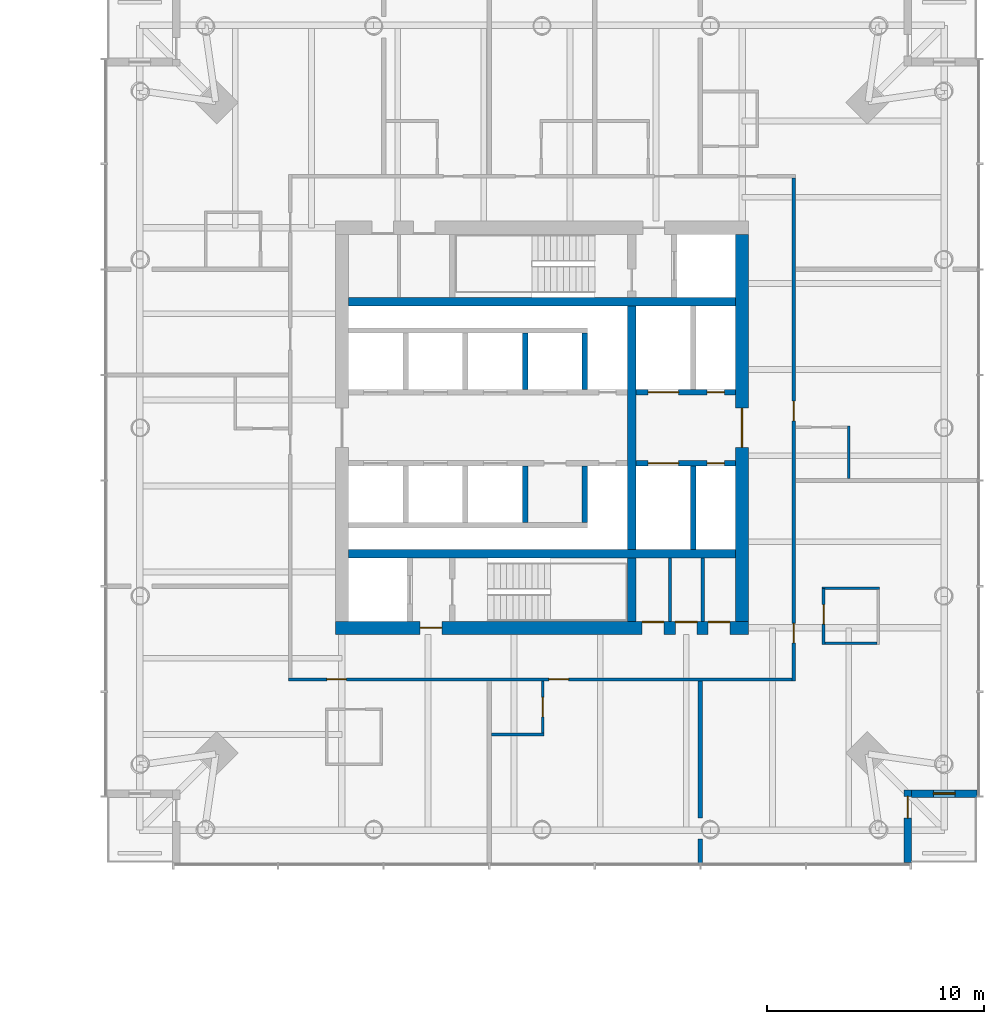
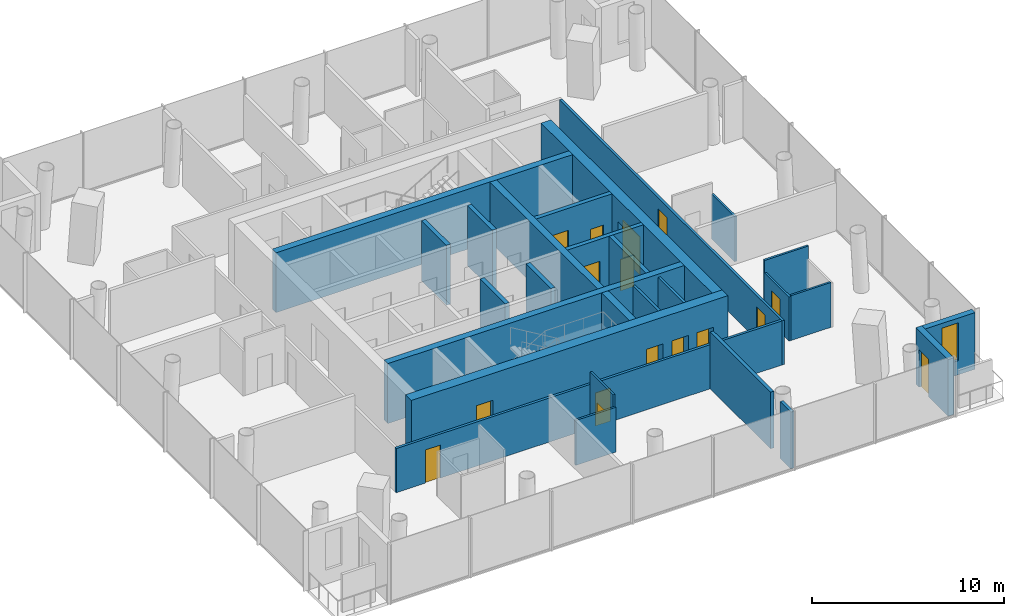
# One storey, part 15 of 21: 27 walls, 16 doors, 1 window, 17 openings.
"""IFC4 building model written with IfcOpenShell, lengths in metres."""

from ifc_helpers import new_model, si_unit, direction, frame, frame_2d, origin, place, context, subcontext, project, spatial, rectangle, extrude, material, layer, layer_set, type_object, element, fill, save


model = new_model("IFC4")

# Units and contexts
model_context = context("Model", 3, precision=1e-05, world=origin(), true_north=direction((0.0, 1.0)))
body_context = subcontext(model_context, "Body", "Model", "MODEL_VIEW")
ifc_project = project(units=[si_unit("LENGTHUNIT", "METRE"), si_unit("AREAUNIT", "SQUARE_METRE"), si_unit("VOLUMEUNIT", "CUBIC_METRE"), si_unit("PLANEANGLEUNIT", "RADIAN"), si_unit("MASSUNIT", "GRAM", prefix="KILO")], contexts=[model_context])

# Site, building, storey
site_placement = place(None, origin())
site = spatial("IfcSite", under=ifc_project, at=site_placement, CompositionType="ELEMENT")
building_placement = place(site_placement, origin())
building = spatial("IfcBuilding", under=site, at=building_placement, Name="Ostroluk Exchange", CompositionType="ELEMENT")
storey_placement = place(building_placement, frame((0.0, 0.0, 32.39990234375)))
storey = spatial("IfcBuildingStorey", under=building, at=storey_placement, Name="L07", CompositionType="ELEMENT", Elevation=32.39990234375)

# Walls
ifc_material_1 = material(Name="Concrete blockwork", Category="masonry")
ifc_layer_1 = layer(ifc_material_1, 0.14990234375)
ifc_layer_set_1 = layer_set([ifc_layer_1], Name="Blockwork plant room wall 150")
wall_type_1 = type_object("IfcWallType", Name="Blockwork plant room wall 150", PredefinedType="SOLIDWALL", material=ifc_layer_set_1)
for number, where, z_axis, x_axis, name in (
    (1, (122.8837890625, 37.10009765625, 0.0), (0.0, 0.0, 1.0), (0.0, 1.0, 0.0), "Core room wall"),
    (2, (124.391845703125, 37.10009765625, 0.0), (0.0, 0.0, 1.0), (0.0, 1.0, 0.0), "Core room wall"),
):
    element("IfcWall", number, at=place(storey_placement, frame(where, z_axis=z_axis, x_axis=x_axis)), inside=storey, type_object=wall_type_1, Name=name, PredefinedType="SOLIDWALL", context=body_context, shape_type="SweptSolid", body=[
        extrude(rectangle(XDim=2.89990234375, YDim=0.14990234375, at=frame_2d((1.449951171875, 0.0))), origin(), (0.0, 0.0, 1.0), 3.60009765625),
    ])
ifc_material_2 = material(Name="Concrete C50/60", Category="concrete")
ifc_layer_2 = layer(ifc_material_2, 0.39990234375)
ifc_layer_set_2 = layer_set([ifc_layer_2], Name="Core cross wall 400 C50/60")
wall_type_2 = type_object("IfcWallType", Name="Core cross wall 400 C50/60", PredefinedType="SHEAR", material=ifc_layer_set_2)
for number, where, z_axis, x_axis, name in (
    (3, (108.10009765625, 40.199951171875, 0.0), (0.0, 0.0, 1.0), (1.0, 0.0, 0.0), "T2 core wall XS"),
    (4, (108.10009765625, 51.800048828125, 0.0), (0.0, 0.0, 1.0), (1.0, 0.0, 0.0), "T2 core wall XN"),
):
    element("IfcWall", number, at=place(storey_placement, frame(where, z_axis=z_axis, x_axis=x_axis)), inside=storey, type_object=wall_type_2, Name=name, PredefinedType="SHEAR", context=body_context, shape_type="SweptSolid", body=[
        extrude(rectangle(XDim=17.7998046875, YDim=0.39990234375, at=frame_2d((8.89990234375, 0.0))), origin(), (0.0, 0.0, 1.0), 3.800048828125),
    ])
wall_1_placement = place(storey_placement, frame((121.1298828125, 37.10009765625, 0.0), z_axis=(0.0, 0.0, 1.0), x_axis=(0.0, 1.0, 0.0)))
element("IfcWall", 5, at=wall_1_placement, inside=storey, type_object=wall_type_2, Name="T2 core wall YE1", PredefinedType="SHEAR", context=body_context, shape_type="SweptSolid", body=[
    extrude(rectangle(XDim=2.89990234375, YDim=0.39990234375, at=frame_2d((1.449951171875, 0.0))), origin(), (0.0, 0.0, 1.0), 3.800048828125),
])
wall_2_placement = place(storey_placement, frame((121.1298828125, 40.39990234375, 0.0), z_axis=(0.0, 0.0, 1.0), x_axis=(0.0, 1.0, 0.0)))
element("IfcWall", 6, at=wall_2_placement, inside=storey, type_object=wall_type_2, Name="T2 core wall YE2", PredefinedType="SHEAR", context=body_context, shape_type="SweptSolid", body=[
    extrude(rectangle(XDim=11.2001953125, YDim=0.39990234375, at=frame_2d((5.60009765625, 0.0))), origin(), (0.0, 0.0, 1.0), 3.800048828125),
])
ifc_material_3 = material(Name="Concrete C40/50", Category="concrete")
ifc_layer_3 = layer(ifc_material_3, 0.25)
ifc_layer_set_3 = layer_set([ifc_layer_3], Name="Core shaft wall 250")
wall_type_3 = type_object("IfcWallType", Name="Core shaft wall 250", PredefinedType="SHEAR", material=ifc_layer_set_3)
for number, where, z_axis, x_axis, name in (
    (7, (116.22509765625, 47.75, 0.0), (0.0, 0.0, 1.0), (0.0, 1.0, 0.0), "Lift shaft wall"),
    (8, (118.97509765625, 47.75, 0.0), (0.0, 0.0, 1.0), (0.0, 1.0, 0.0), "Lift shaft wall"),
    (9, (116.22509765625, 44.25, 0.0), (0.0, 0.0, 1.0), (0.0, -1.0, 0.0), "Lift shaft wall"),
    (10, (118.97509765625, 44.25, 0.0), (0.0, 0.0, 1.0), (0.0, -1.0, 0.0), "Lift shaft wall"),
):
    element("IfcWall", number, at=place(storey_placement, frame(where, z_axis=z_axis, x_axis=x_axis)), inside=storey, type_object=wall_type_3, Name=name, PredefinedType="SHEAR", context=body_context, shape_type="SweptSolid", body=[
        extrude(rectangle(XDim=2.60009765625, YDim=0.25, at=frame_2d((1.300048828125, 0.0))), origin(), (0.0, 0.0, 1.0), 3.800048828125),
    ])

# Wall, openings, doors
wall_3_placement = place(storey_placement, frame((121.330078125, 47.625, 0.0), z_axis=(0.0, 0.0, 1.0), x_axis=(1.0, 0.0, 0.0)))
wall_3 = element("IfcWall", 11, at=wall_3_placement, inside=storey, type_object=wall_type_3, Name="Lift shaft front wall", PredefinedType="SHEAR", context=body_context, shape_type="SweptSolid", body=[
    extrude(rectangle(XDim=4.56982421875, YDim=0.25, at=frame_2d((2.284912109375, 0.0))), origin(), (0.0, 0.0, 1.0), 3.800048828125),
])
opening_1_placement = place(wall_3_placement, frame((0.550048828125, 0.0, 0.0)))
opening_1 = element("IfcOpeningElement", 12, at=opening_1_placement, cuts=wall_3, Name="Opening LD3", PredefinedType="OPENING", context=body_context, shape_type="SweptSolid", body=[
    extrude(rectangle(XDim=1.39990234375, YDim=2.39990234375, at=frame_2d((0.699951171875, 1.199951171875))), frame((0.0, 0.135009765625, 0.0), z_axis=(0.0, -1.0, 0.0), x_axis=(1.0, 0.0, 0.0)), (0.0, 0.0, 1.0), 0.27001953125),
])
opening_2_placement = place(wall_3_placement, frame((3.260009765625, 0.0, 0.0)))
opening_2 = element("IfcOpeningElement", 13, at=opening_2_placement, cuts=wall_3, Name="Opening RD60", PredefinedType="OPENING", context=body_context, shape_type="SweptSolid", body=[
    extrude(rectangle(XDim=0.800048828125, YDim=2.0, at=frame_2d((0.39990234375, 1.0))), frame((0.0, 0.135009765625, 0.0), z_axis=(0.0, -1.0, 0.0), x_axis=(1.0, 0.0, 0.0)), (0.0, 0.0, 1.0), 0.27001953125),
])
ifc_material_4 = material(Name="Stainless steel", Category="steel")
door_type_1 = type_object("IfcDoorType", Name="Goods lift landing door E 60 1400 x 2400", OperationType="DOUBLE_DOOR_SLIDING", PredefinedType="DOOR", material=ifc_material_4)
door_1_placement = place(opening_1_placement, origin())
door_1 = element("IfcDoor", 14, at=door_1_placement, inside=storey, type_object=door_type_1, Name="Lift HS1 landing door", OperationType="DOUBLE_DOOR_SLIDING", OverallHeight=2.39990234375, OverallWidth=1.39990234375, PredefinedType="DOOR", context=body_context, shape_type="SweptSolid", body=[
    extrude(rectangle(XDim=1.39990234375, YDim=2.39990234375, at=frame_2d((0.699951171875, 1.199951171875))), frame((0.0, 0.02490234375, 0.0), z_axis=(0.0, -1.0, 0.0), x_axis=(1.0, 0.0, 0.0)), (0.0, 0.0, 1.0), 0.050048828125),
])
fill(opening_1, door_1)
ifc_material_5 = material(Name="Steel", Category="steel")
door_type_2 = type_object("IfcDoorType", Name="Riser access door EI 60 800 x 2000", OperationType="SINGLE_SWING_LEFT", PredefinedType="DOOR", material=ifc_material_5)
door_2_placement = place(opening_2_placement, origin())
door_2 = element("IfcDoor", 15, at=door_2_placement, inside=storey, type_object=door_type_2, Name="Riser access door", OperationType="SINGLE_SWING_RIGHT", OverallHeight=2.0, OverallWidth=0.800048828125, PredefinedType="DOOR", context=body_context, shape_type="SweptSolid", body=[
    extrude(rectangle(XDim=0.800048828125, YDim=2.0, at=frame_2d((0.39990234375, 1.0))), frame((0.0, 0.02490234375, 0.0), z_axis=(0.0, -1.0, 0.0), x_axis=(1.0, 0.0, 0.0)), (0.0, 0.0, 1.0), 0.050048828125),
])
fill(opening_2, door_2)

# Wall
wall_4_placement = place(storey_placement, frame((123.955078125, 44.25, 0.0), z_axis=(0.0, 0.0, 1.0), x_axis=(0.0, -1.0, 0.0)))
element("IfcWall", 16, at=wall_4_placement, inside=storey, type_object=wall_type_3, Name="Lift shaft wall", PredefinedType="SHEAR", context=body_context, shape_type="SweptSolid", body=[
    extrude(rectangle(XDim=3.85009765625, YDim=0.25, at=frame_2d((1.925048828125, 0.0))), origin(), (0.0, 0.0, 1.0), 3.800048828125),
])

# Wall, openings, doors
wall_5_placement = place(storey_placement, frame((121.330078125, 44.375, 0.0), z_axis=(0.0, 0.0, 1.0), x_axis=(1.0, 0.0, 0.0)))
wall_5 = element("IfcWall", 17, at=wall_5_placement, inside=storey, type_object=wall_type_3, Name="Lift shaft front wall", PredefinedType="SHEAR", context=body_context, shape_type="SweptSolid", body=[
    extrude(rectangle(XDim=4.56982421875, YDim=0.25, at=frame_2d((2.284912109375, 0.0))), origin(), (0.0, 0.0, 1.0), 3.800048828125),
])
opening_3_placement = place(wall_5_placement, frame((0.550048828125, 0.0, 0.0)))
opening_3 = element("IfcOpeningElement", 18, at=opening_3_placement, cuts=wall_5, Name="Opening LD3", PredefinedType="OPENING", context=body_context, shape_type="SweptSolid", body=[
    extrude(rectangle(XDim=1.39990234375, YDim=2.39990234375, at=frame_2d((0.699951171875, 1.199951171875))), frame((0.0, 0.135009765625, 0.0), z_axis=(0.0, -1.0, 0.0), x_axis=(1.0, 0.0, 0.0)), (0.0, 0.0, 1.0), 0.27001953125),
])
opening_4_placement = place(wall_5_placement, frame((3.260009765625, 0.0, 0.0)))
opening_4 = element("IfcOpeningElement", 19, at=opening_4_placement, cuts=wall_5, Name="Opening RD60", PredefinedType="OPENING", context=body_context, shape_type="SweptSolid", body=[
    extrude(rectangle(XDim=0.800048828125, YDim=2.0, at=frame_2d((0.39990234375, 1.0))), frame((0.0, 0.135009765625, 0.0), z_axis=(0.0, -1.0, 0.0), x_axis=(1.0, 0.0, 0.0)), (0.0, 0.0, 1.0), 0.27001953125),
])
door_3_placement = place(opening_3_placement, origin())
door_3 = element("IfcDoor", 20, at=door_3_placement, inside=storey, type_object=door_type_1, Name="Lift HS2 landing door", OperationType="DOUBLE_DOOR_SLIDING", OverallHeight=2.39990234375, OverallWidth=1.39990234375, PredefinedType="DOOR", context=body_context, shape_type="SweptSolid", body=[
    extrude(rectangle(XDim=1.39990234375, YDim=2.39990234375, at=frame_2d((0.699951171875, 1.199951171875))), frame((0.0, 0.02490234375, 0.0), z_axis=(0.0, -1.0, 0.0), x_axis=(1.0, 0.0, 0.0)), (0.0, 0.0, 1.0), 0.050048828125),
])
fill(opening_3, door_3)
door_4_placement = place(opening_4_placement, origin())
door_4 = element("IfcDoor", 21, at=door_4_placement, inside=storey, type_object=door_type_2, Name="Riser access door", OperationType="SINGLE_SWING_RIGHT", OverallHeight=2.0, OverallWidth=0.800048828125, PredefinedType="DOOR", context=body_context, shape_type="SweptSolid", body=[
    extrude(rectangle(XDim=0.800048828125, YDim=2.0, at=frame_2d((0.39990234375, 1.0))), frame((0.0, 0.02490234375, 0.0), z_axis=(0.0, -1.0, 0.0), x_axis=(1.0, 0.0, 0.0)), (0.0, 0.0, 1.0), 0.050048828125),
])
fill(opening_4, door_4)

ifc_material_6 = material(Name="Concrete C50/60", Category="concrete")
ifc_layer_4 = layer(ifc_material_6, 0.60009765625)
ifc_layer_set_4 = layer_set([ifc_layer_4], Name="Core wall 600 C50/60")
wall_type_4 = type_object("IfcWallType", Name="Core wall 600 C50/60", PredefinedType="SHEAR", material=ifc_layer_set_4)
wall_6_placement = place(storey_placement, frame((107.5, 36.800048828125, 0.0), z_axis=(0.0, 0.0, 1.0), x_axis=(1.0, 0.0, 0.0)))
wall_6 = element("IfcWall", 22, at=wall_6_placement, inside=storey, type_object=wall_type_4, Name="T2 core wall S", PredefinedType="SHEAR", context=body_context, shape_type="SweptSolid", body=[
    extrude(rectangle(XDim=19.0, YDim=0.60009765625, at=frame_2d((9.5, 0.0))), origin(), (0.0, 0.0, 1.0), 3.800048828125),
])
opening_5_placement = place(wall_6_placement, frame((3.89990234375, 0.0, 0.0)))
opening_5 = element("IfcOpeningElement", 23, at=opening_5_placement, cuts=wall_6, Name="Opening FD60", PredefinedType="OPENING", context=body_context, shape_type="SweptSolid", body=[
    extrude(rectangle(XDim=1.0, YDim=2.10009765625, at=frame_2d((0.5, 1.050048828125))), frame((0.0, 0.31005859375, 0.0), z_axis=(0.0, -1.0, 0.0), x_axis=(1.0, 0.0, 0.0)), (0.0, 0.0, 1.0), 0.6201171875),
])
opening_6_placement = place(wall_6_placement, frame((14.10693359375, 0.0, 0.0)))
opening_6 = element("IfcOpeningElement", 24, at=opening_6_placement, cuts=wall_6, Name="Opening FD60", PredefinedType="OPENING", context=body_context, shape_type="SweptSolid", body=[
    extrude(rectangle(XDim=1.0, YDim=2.10009765625, at=frame_2d((0.5, 1.050048828125))), frame((0.0, 0.31005859375, 0.0), z_axis=(0.0, -1.0, 0.0), x_axis=(1.0, 0.0, 0.0)), (0.0, 0.0, 1.0), 0.6201171875),
])
opening_7_placement = place(wall_6_placement, frame((15.637939453125, 0.0, 0.0)))
opening_7 = element("IfcOpeningElement", 25, at=opening_7_placement, cuts=wall_6, Name="Opening FD60", PredefinedType="OPENING", context=body_context, shape_type="SweptSolid", body=[
    extrude(rectangle(XDim=1.0, YDim=2.10009765625, at=frame_2d((0.5, 1.050048828125))), frame((0.0, 0.31005859375, 0.0), z_axis=(0.0, -1.0, 0.0), x_axis=(1.0, 0.0, 0.0)), (0.0, 0.0, 1.0), 0.6201171875),
])
opening_8_placement = place(wall_6_placement, frame((17.141845703125, 0.0, 0.0)))
opening_8 = element("IfcOpeningElement", 26, at=opening_8_placement, cuts=wall_6, Name="Opening FD60", PredefinedType="OPENING", context=body_context, shape_type="SweptSolid", body=[
    extrude(rectangle(XDim=1.0, YDim=2.10009765625, at=frame_2d((0.5, 1.050048828125))), frame((0.0, 0.31005859375, 0.0), z_axis=(0.0, -1.0, 0.0), x_axis=(1.0, 0.0, 0.0)), (0.0, 0.0, 1.0), 0.6201171875),
])
ifc_material_7 = material(Name="Steel", Category="steel")
door_type_3 = type_object("IfcDoorType", Name="Fire door EI 60 1000 x 2100", OperationType="SINGLE_SWING_LEFT", PredefinedType="DOOR", material=ifc_material_7)
door_5_placement = place(opening_5_placement, origin())
door_5 = element("IfcDoor", 27, at=door_5_placement, inside=storey, type_object=door_type_3, Name="Firefighting lobby door", OperationType="SINGLE_SWING_LEFT", OverallHeight=2.10009765625, OverallWidth=1.0, PredefinedType="DOOR", context=body_context, shape_type="SweptSolid", body=[
    extrude(rectangle(XDim=1.0, YDim=2.10009765625, at=frame_2d((0.5, 1.050048828125))), frame((0.0, 0.02490234375, 0.0), z_axis=(0.0, -1.0, 0.0), x_axis=(1.0, 0.0, 0.0)), (0.0, 0.0, 1.0), 0.050048828125),
])
fill(opening_5, door_5)
door_6_placement = place(opening_6_placement, origin())
door_6 = element("IfcDoor", 28, at=door_6_placement, inside=storey, type_object=door_type_3, Name="Luggage store door", OperationType="SINGLE_SWING_RIGHT", OverallHeight=2.10009765625, OverallWidth=1.0, PredefinedType="DOOR", context=body_context, shape_type="SweptSolid", body=[
    extrude(rectangle(XDim=1.0, YDim=2.10009765625, at=frame_2d((0.5, 1.050048828125))), frame((0.0, 0.2900390625, 0.0), z_axis=(0.0, -1.0, 0.0), x_axis=(1.0, 0.0, 0.0)), (0.0, 0.0, 1.0), 0.050048828125),
])
fill(opening_6, door_6)
door_7_placement = place(opening_7_placement, origin())
door_7 = element("IfcDoor", 29, at=door_7_placement, inside=storey, type_object=door_type_3, Name="Comms room door", OperationType="SINGLE_SWING_RIGHT", OverallHeight=2.10009765625, OverallWidth=1.0, PredefinedType="DOOR", context=body_context, shape_type="SweptSolid", body=[
    extrude(rectangle(XDim=1.0, YDim=2.10009765625, at=frame_2d((0.5, 1.050048828125))), frame((0.0, 0.2900390625, 0.0), z_axis=(0.0, -1.0, 0.0), x_axis=(1.0, 0.0, 0.0)), (0.0, 0.0, 1.0), 0.050048828125),
])
fill(opening_7, door_7)
door_8_placement = place(opening_8_placement, origin())
door_8 = element("IfcDoor", 30, at=door_8_placement, inside=storey, type_object=door_type_3, Name="Linen store door", OperationType="SINGLE_SWING_RIGHT", OverallHeight=2.10009765625, OverallWidth=1.0, PredefinedType="DOOR", context=body_context, shape_type="SweptSolid", body=[
    extrude(rectangle(XDim=1.0, YDim=2.10009765625, at=frame_2d((0.5, 1.050048828125))), frame((0.0, 0.2900390625, 0.0), z_axis=(0.0, -1.0, 0.0), x_axis=(1.0, 0.0, 0.0)), (0.0, 0.0, 1.0), 0.050048828125),
])
fill(opening_8, door_8)

# Wall, opening, door
wall_7_placement = place(storey_placement, frame((126.199951171875, 37.10009765625, 0.0), z_axis=(0.0, 0.0, 1.0), x_axis=(0.0, 1.0, 0.0)))
wall_7 = element("IfcWall", 31, at=wall_7_placement, inside=storey, type_object=wall_type_4, Name="T2 core wall E", PredefinedType="SHEAR", context=body_context, shape_type="SweptSolid", body=[
    extrude(rectangle(XDim=17.7998046875, YDim=0.60009765625, at=frame_2d((8.89990234375, 0.0))), origin(), (0.0, 0.0, 1.0), 3.800048828125),
])
opening_9_placement = place(wall_7_placement, frame((8.0, 0.0, 0.0)))
opening_9 = element("IfcOpeningElement", 32, at=opening_9_placement, cuts=wall_7, Name="Opening FD30D", PredefinedType="OPENING", context=body_context, shape_type="SweptSolid", body=[
    extrude(rectangle(XDim=1.800048828125, YDim=2.39990234375, at=frame_2d((0.89990234375, 1.199951171875))), frame((0.0, 0.31005859375, 0.0), z_axis=(0.0, -1.0, 0.0), x_axis=(1.0, 0.0, 0.0)), (0.0, 0.0, 1.0), 0.6201171875),
])
ifc_material_8 = material(Name="Timber", Category="wood")
door_type_4 = type_object("IfcDoorType", Name="Lobby double door EI 30 1800 x 2400", OperationType="DOUBLE_DOOR_SINGLE_SWING", PredefinedType="DOOR", material=ifc_material_8)
door_9_placement = place(opening_9_placement, origin())
door_9 = element("IfcDoor", 33, at=door_9_placement, inside=storey, type_object=door_type_4, Name="Lift lobby doors", OperationType="DOUBLE_DOOR_SINGLE_SWING", OverallHeight=2.39990234375, OverallWidth=1.800048828125, PredefinedType="DOOR", context=body_context, shape_type="SweptSolid", body=[
    extrude(rectangle(XDim=1.800048828125, YDim=2.39990234375, at=frame_2d((0.89990234375, 1.199951171875))), frame((0.0, 0.02490234375, 0.0), z_axis=(0.0, -1.0, 0.0), x_axis=(1.0, 0.0, 0.0)), (0.0, 0.0, 1.0), 0.050048828125),
])
fill(opening_9, door_9)

ifc_material_9 = material(Name="Limestone", Category="masonry")
ifc_layer_5 = layer(ifc_material_9, 0.35009765625)
ifc_layer_set_5 = layer_set([ifc_layer_5], Name="Limestone facade wall 350")
wall_type_5 = type_object("IfcWallType", Name="Limestone facade wall 350", PredefinedType="SOLIDWALL", material=ifc_layer_set_5)
wall_8_placement = place(storey_placement, frame((133.824951171875, 26.0, 0.0), z_axis=(0.0, 0.0, 1.0), x_axis=(0.0, 1.0, 0.0)))
wall_8 = element("IfcWall", 34, at=wall_8_placement, inside=storey, type_object=wall_type_5, Name="Hotel tower SE corner wall L07 a", PredefinedType="SOLIDWALL", context=body_context, shape_type="SweptSolid", body=[
    extrude(rectangle(XDim=3.35009765625, YDim=0.35009765625, at=frame_2d((1.675048828125, 0.0))), origin(), (0.0, 0.0, 1.0), 3.60009765625),
])
opening_10_placement = place(wall_8_placement, frame((2.050048828125, 0.0, 0.0)))
opening_10 = element("IfcOpeningElement", 35, at=opening_10_placement, cuts=wall_8, Name="Opening D-B1", PredefinedType="OPENING", context=body_context, shape_type="SweptSolid", body=[
    extrude(rectangle(XDim=1.0, YDim=2.39990234375, at=frame_2d((0.5, 1.199951171875))), frame((0.0, 0.18505859375, 0.0), z_axis=(0.0, -1.0, 0.0), x_axis=(1.0, 0.0, 0.0)), (0.0, 0.0, 1.0), 0.3701171875),
])
ifc_material_10 = material(Name="Bronze framed glazed door", Category="aluminium")
door_type_5 = type_object("IfcDoorType", Name="Balcony door 1000 x 2400", OperationType="SINGLE_SWING_LEFT", PredefinedType="DOOR", material=ifc_material_10)
door_10_placement = place(opening_10_placement, origin())
door_10 = element("IfcDoor", 36, at=door_10_placement, inside=storey, type_object=door_type_5, Name="Hotel tower SE balcony door L07", OperationType="SINGLE_SWING_RIGHT", OverallHeight=2.39990234375, OverallWidth=1.0, PredefinedType="DOOR", context=body_context, shape_type="SweptSolid", body=[
    extrude(rectangle(XDim=1.0, YDim=2.39990234375, at=frame_2d((0.5, 1.199951171875))), frame((0.0, 0.02490234375, 0.0), z_axis=(0.0, -1.0, 0.0), x_axis=(1.0, 0.0, 0.0)), (0.0, 0.0, 1.0), 0.050048828125),
])
fill(opening_10, door_10)

# Wall, opening, window
wall_9_placement = place(storey_placement, frame((134.0, 29.175048828125, 0.0), z_axis=(0.0, 0.0, 1.0), x_axis=(1.0, 0.0, 0.0)))
wall_9 = element("IfcWall", 37, at=wall_9_placement, inside=storey, type_object=wall_type_5, Name="Hotel tower SE corner wall L07 b", PredefinedType="SOLIDWALL", context=body_context, shape_type="SweptSolid", body=[
    extrude(rectangle(XDim=3.0, YDim=0.35009765625, at=frame_2d((1.5, 0.0))), origin(), (0.0, 0.0, 1.0), 3.60009765625),
])
opening_11_placement = place(wall_9_placement, frame((1.0, 0.0, 0.89990234375)))
opening_11 = element("IfcOpeningElement", 38, at=opening_11_placement, cuts=wall_9, Name="Opening WN-L3", PredefinedType="OPENING", context=body_context, shape_type="SweptSolid", body=[
    extrude(rectangle(XDim=1.0, YDim=2.39990234375, at=frame_2d((0.5, 1.199951171875))), frame((0.0, 0.18505859375, 0.0), z_axis=(0.0, -1.0, 0.0), x_axis=(1.0, 0.0, 0.0)), (0.0, 0.0, 1.0), 0.3701171875),
])
ifc_material_11 = material(Name="Laminated clear glass", Category="glass")
window_type = type_object("IfcWindowType", Name="Hotel lancet window 1000 x 2400", PartitioningType="SINGLE_PANEL", PredefinedType="WINDOW", material=ifc_material_11)
window_placement = place(opening_11_placement, origin())
window = element("IfcWindow", 39, at=window_placement, inside=storey, type_object=window_type, Name="Hotel tower SE lancet window L07", OverallHeight=2.39990234375, OverallWidth=1.0, PartitioningType="SINGLE_PANEL", PredefinedType="WINDOW", context=body_context, shape_type="SweptSolid", body=[
    extrude(rectangle(XDim=1.0, YDim=2.39990234375, at=frame_2d((0.5, 1.199951171875))), frame((0.0, 0.030029296875, 0.0), z_axis=(0.0, -1.0, 0.0), x_axis=(1.0, 0.0, 0.0)), (0.0, 0.0, 1.0), 0.06005859375),
])
fill(opening_11, window)

# Wall, opening, door
ifc_material_12 = material(Name="Gypsum plasterboard partition, moisture resistant", Category="gypsum")
ifc_layer_6 = layer(ifc_material_12, 0.1201171875)
ifc_layer_set_6 = layer_set([ifc_layer_6], Name="Plasterboard en-suite wall 120")
wall_type_6 = type_object("IfcWallType", Name="Plasterboard en-suite wall 120", PredefinedType="PARTITIONING", material=ifc_layer_set_6)
wall_10_placement = place(storey_placement, frame((129.949951171875, 38.6142578125, 0.0), z_axis=(0.0, 0.0, 1.0), x_axis=(0.0, -1.0, 0.0)))
wall_10 = element("IfcWall", 40, at=wall_10_placement, inside=storey, type_object=wall_type_6, Name="En-suite wall", PredefinedType="PARTITIONING", context=body_context, shape_type="SweptSolid", body=[
    extrude(rectangle(XDim=2.580078125, YDim=0.1201171875, at=frame_2d((1.2900390625, 0.0))), origin(), (0.0, 0.0, 1.0), 2.800048828125),
])
opening_12_placement = place(wall_10_placement, frame((0.75, 0.0, 0.0)))
opening_12 = element("IfcOpeningElement", 41, at=opening_12_placement, cuts=wall_10, Name="Opening D-02", PredefinedType="OPENING", context=body_context, shape_type="SweptSolid", body=[
    extrude(rectangle(XDim=0.89990234375, YDim=2.10009765625, at=frame_2d((0.449951171875, 1.050048828125))), frame((0.0, 0.070068359375, 0.0), z_axis=(0.0, -1.0, 0.0), x_axis=(1.0, 0.0, 0.0)), (0.0, 0.0, 1.0), 0.14013671875),
])
ifc_material_13 = material(Name="Timber", Category="wood")
door_type_6 = type_object("IfcDoorType", Name="En-suite door 900 x 2100", OperationType="SINGLE_SWING_LEFT", PredefinedType="DOOR", material=ifc_material_13)
door_11_placement = place(opening_12_placement, origin())
door_11 = element("IfcDoor", 42, at=door_11_placement, inside=storey, type_object=door_type_6, Name="En-suite door 701", OperationType="SINGLE_SWING_LEFT", OverallHeight=2.10009765625, OverallWidth=0.89990234375, PredefinedType="DOOR", context=body_context, shape_type="SweptSolid", body=[
    extrude(rectangle(XDim=0.89990234375, YDim=2.10009765625, at=frame_2d((0.449951171875, 1.050048828125))), frame((0.0, 0.02490234375, 0.0), z_axis=(0.0, -1.0, 0.0), x_axis=(1.0, 0.0, 0.0)), (0.0, 0.0, 1.0), 0.050048828125),
])
fill(opening_12, door_11)

# Walls
wall_11_placement = place(storey_placement, frame((130.010009765625, 36.09423828125, 0.0), z_axis=(0.0, 0.0, 1.0), x_axis=(1.0, 0.0, 0.0)))
element("IfcWall", 43, at=wall_11_placement, inside=storey, type_object=wall_type_6, Name="En-suite wall", PredefinedType="PARTITIONING", context=body_context, shape_type="SweptSolid", body=[
    extrude(rectangle(XDim=2.39990234375, YDim=0.1201171875, at=frame_2d((1.199951171875, 0.0))), origin(), (0.0, 0.0, 1.0), 2.84716796875),
])
wall_12_placement = place(storey_placement, frame((129.889892578125, 38.6142578125, 0.0), z_axis=(0.0, 0.0, 1.0), x_axis=(1.0, 0.0, 0.0)))
element("IfcWall", 44, at=wall_12_placement, inside=storey, type_object=wall_type_6, Name="En-suite wall", PredefinedType="PARTITIONING", context=body_context, shape_type="SweptSolid", body=[
    extrude(rectangle(XDim=2.64013671875, YDim=0.1201171875, at=frame_2d((1.320068359375, 0.0))), origin(), (0.0, 0.0, 1.0), 3.60009765625),
])
for number, where, z_axis, x_axis, name in (
    (45, (131.110107421875, 43.67138671875, 0.0), (0.0, 0.0, 1.0), (0.0, 1.0, 0.0), "En-suite wall"),
    (46, (114.67138671875, 31.889892578125, 0.0), (0.0, 0.0, 1.0), (1.0, 0.0, 0.0), "En-suite wall"),
):
    element("IfcWall", number, at=place(storey_placement, frame(where, z_axis=z_axis, x_axis=x_axis)), inside=storey, type_object=wall_type_6, Name=name, PredefinedType="PARTITIONING", context=body_context, shape_type="SweptSolid", body=[
        extrude(rectangle(XDim=2.419921875, YDim=0.1201171875, at=frame_2d((1.2099609375, 0.0))), origin(), (0.0, 0.0, 1.0), 2.84716796875),
    ])

# Wall, opening, door
wall_13_placement = place(storey_placement, frame((117.031494140625, 34.35009765625, 0.0), z_axis=(0.0, 0.0, 1.0), x_axis=(0.0, -1.0, 0.0)))
wall_13 = element("IfcWall", 47, at=wall_13_placement, inside=storey, type_object=wall_type_6, Name="En-suite wall", PredefinedType="PARTITIONING", context=body_context, shape_type="SweptSolid", body=[
    extrude(rectangle(XDim=2.400146484375, YDim=0.1201171875, at=frame_2d((1.2001953125, 0.0))), origin(), (0.0, 0.0, 1.0), 3.60009765625),
])
opening_13_placement = place(wall_13_placement, frame((0.75, 0.0, 0.0)))
opening_13 = element("IfcOpeningElement", 48, at=opening_13_placement, cuts=wall_13, Name="Opening D-02", PredefinedType="OPENING", context=body_context, shape_type="SweptSolid", body=[
    extrude(rectangle(XDim=0.89990234375, YDim=2.10009765625, at=frame_2d((0.449951171875, 1.050048828125))), frame((0.0, 0.070068359375, 0.0), z_axis=(0.0, -1.0, 0.0), x_axis=(1.0, 0.0, 0.0)), (0.0, 0.0, 1.0), 0.14013671875),
])
door_12_placement = place(opening_13_placement, origin())
door_12 = element("IfcDoor", 49, at=door_12_placement, inside=storey, type_object=door_type_6, Name="En-suite door 710", OperationType="SINGLE_SWING_LEFT", OverallHeight=2.10009765625, OverallWidth=0.89990234375, PredefinedType="DOOR", context=body_context, shape_type="SweptSolid", body=[
    extrude(rectangle(XDim=0.89990234375, YDim=2.10009765625, at=frame_2d((0.449951171875, 1.050048828125))), frame((0.0, 0.02490234375, 0.0), z_axis=(0.0, -1.0, 0.0), x_axis=(1.0, 0.0, 0.0)), (0.0, 0.0, 1.0), 0.050048828125),
])
fill(opening_13, door_12)

# Wall, openings, doors
ifc_material_14 = material(Name="Gypsum plasterboard partition", Category="gypsum")
ifc_layer_7 = layer(ifc_material_14, 0.14990234375)
ifc_layer_set_7 = layer_set([ifc_layer_7], Name="Plasterboard partition 150")
wall_type_7 = type_object("IfcWallType", Name="Plasterboard partition 150", PredefinedType="PARTITIONING", material=ifc_layer_set_7)
wall_14_placement = place(storey_placement, frame((128.574951171875, 34.35009765625, 0.0), z_axis=(0.0, 0.0, 1.0), x_axis=(0.0, 1.0, 0.0)))
wall_14 = element("IfcWall", 50, at=wall_14_placement, inside=storey, type_object=wall_type_7, Name="Corridor wall", PredefinedType="PARTITIONING", context=body_context, shape_type="SweptSolid", body=[
    extrude(rectangle(XDim=23.14990234375, YDim=0.14990234375, at=frame_2d((11.574951171875, 0.0))), origin(), (0.0, 0.0, 1.0), 2.800048828125),
])
opening_14_placement = place(wall_14_placement, frame((1.757080078125, 0.0, 0.0)))
opening_14 = element("IfcOpeningElement", 51, at=opening_14_placement, cuts=wall_14, Name="Opening D-01", PredefinedType="OPENING", context=body_context, shape_type="SweptSolid", body=[
    extrude(rectangle(XDim=0.89990234375, YDim=2.10009765625, at=frame_2d((0.449951171875, 1.050048828125))), frame((0.0, 0.0849609375, 0.0), z_axis=(0.0, -1.0, 0.0), x_axis=(1.0, 0.0, 0.0)), (0.0, 0.0, 1.0), 0.169921875),
])
opening_15_placement = place(wall_14_placement, frame((11.971435546875, 0.0, 0.0)))
opening_15 = element("IfcOpeningElement", 52, at=opening_15_placement, cuts=wall_14, Name="Opening D-01", PredefinedType="OPENING", context=body_context, shape_type="SweptSolid", body=[
    extrude(rectangle(XDim=0.89990234375, YDim=2.10009765625, at=frame_2d((0.449951171875, 1.050048828125))), frame((0.0, 0.0849609375, 0.0), z_axis=(0.0, -1.0, 0.0), x_axis=(1.0, 0.0, 0.0)), (0.0, 0.0, 1.0), 0.169921875),
])
ifc_material_15 = material(Name="Timber", Category="wood")
door_type_7 = type_object("IfcDoorType", Name="Hotel room door EI 30 Sa 900 x 2100", OperationType="SINGLE_SWING_LEFT", PredefinedType="DOOR", material=ifc_material_15)
door_13_placement = place(opening_14_placement, origin())
door_13 = element("IfcDoor", 53, at=door_13_placement, inside=storey, type_object=door_type_7, Name="Room door 701", OperationType="SINGLE_SWING_LEFT", OverallHeight=2.10009765625, OverallWidth=0.89990234375, PredefinedType="DOOR", context=body_context, shape_type="SweptSolid", body=[
    extrude(rectangle(XDim=0.89990234375, YDim=2.10009765625, at=frame_2d((0.449951171875, 1.050048828125))), frame((0.0, 0.02490234375, 0.0), z_axis=(0.0, -1.0, 0.0), x_axis=(1.0, 0.0, 0.0)), (0.0, 0.0, 1.0), 0.050048828125),
])
fill(opening_14, door_13)
door_14_placement = place(opening_15_placement, origin())
door_14 = element("IfcDoor", 54, at=door_14_placement, inside=storey, type_object=door_type_7, Name="Room door 702", OperationType="SINGLE_SWING_RIGHT", OverallHeight=2.10009765625, OverallWidth=0.89990234375, PredefinedType="DOOR", context=body_context, shape_type="SweptSolid", body=[
    extrude(rectangle(XDim=0.89990234375, YDim=2.10009765625, at=frame_2d((0.449951171875, 1.050048828125))), frame((0.0, 0.02490234375, 0.0), z_axis=(0.0, -1.0, 0.0), x_axis=(1.0, 0.0, 0.0)), (0.0, 0.0, 1.0), 0.050048828125),
])
fill(opening_15, door_14)

wall_15_placement = place(storey_placement, frame((105.35009765625, 34.425048828125, 0.0), z_axis=(0.0, 0.0, 1.0), x_axis=(1.0, 0.0, 0.0)))
wall_15 = element("IfcWall", 55, at=wall_15_placement, inside=storey, type_object=wall_type_7, Name="Corridor wall", PredefinedType="PARTITIONING", context=body_context, shape_type="SweptSolid", body=[
    extrude(rectangle(XDim=23.14990234375, YDim=0.14990234375, at=frame_2d((11.574951171875, 0.0))), origin(), (0.0, 0.0, 1.0), 2.800048828125),
])
opening_16_placement = place(wall_15_placement, frame((1.757080078125, 0.0, 0.0)))
opening_16 = element("IfcOpeningElement", 56, at=opening_16_placement, cuts=wall_15, Name="Opening D-01", PredefinedType="OPENING", context=body_context, shape_type="SweptSolid", body=[
    extrude(rectangle(XDim=0.89990234375, YDim=2.10009765625, at=frame_2d((0.449951171875, 1.050048828125))), frame((0.0, 0.0849609375, 0.0), z_axis=(0.0, -1.0, 0.0), x_axis=(1.0, 0.0, 0.0)), (0.0, 0.0, 1.0), 0.169921875),
])
opening_17_placement = place(wall_15_placement, frame((11.971435546875, 0.0, 0.0)))
opening_17 = element("IfcOpeningElement", 57, at=opening_17_placement, cuts=wall_15, Name="Opening D-01", PredefinedType="OPENING", context=body_context, shape_type="SweptSolid", body=[
    extrude(rectangle(XDim=0.89990234375, YDim=2.10009765625, at=frame_2d((0.449951171875, 1.050048828125))), frame((0.0, 0.0849609375, 0.0), z_axis=(0.0, -1.0, 0.0), x_axis=(1.0, 0.0, 0.0)), (0.0, 0.0, 1.0), 0.169921875),
])
door_15_placement = place(opening_16_placement, origin())
door_15 = element("IfcDoor", 58, at=door_15_placement, inside=storey, type_object=door_type_7, Name="Room door 709", OperationType="SINGLE_SWING_LEFT", OverallHeight=2.10009765625, OverallWidth=0.89990234375, PredefinedType="DOOR", context=body_context, shape_type="SweptSolid", body=[
    extrude(rectangle(XDim=0.89990234375, YDim=2.10009765625, at=frame_2d((0.449951171875, 1.050048828125))), frame((0.0, 0.02490234375, 0.0), z_axis=(0.0, -1.0, 0.0), x_axis=(1.0, 0.0, 0.0)), (0.0, 0.0, 1.0), 0.050048828125),
])
fill(opening_16, door_15)
door_16_placement = place(opening_17_placement, origin())
door_16 = element("IfcDoor", 59, at=door_16_placement, inside=storey, type_object=door_type_7, Name="Room door 710", OperationType="SINGLE_SWING_RIGHT", OverallHeight=2.10009765625, OverallWidth=0.89990234375, PredefinedType="DOOR", context=body_context, shape_type="SweptSolid", body=[
    extrude(rectangle(XDim=0.89990234375, YDim=2.10009765625, at=frame_2d((0.449951171875, 1.050048828125))), frame((0.0, 0.02490234375, 0.0), z_axis=(0.0, -1.0, 0.0), x_axis=(1.0, 0.0, 0.0)), (0.0, 0.0, 1.0), 0.050048828125),
])
fill(opening_17, door_16)

# Walls
ifc_material_16 = material(Name="Gypsum plasterboard partition", Category="gypsum")
ifc_layer_8 = layer(ifc_material_16, 0.199951171875)
ifc_layer_set_8 = layer_set([ifc_layer_8], Name="Plasterboard party wall 200")
wall_type_8 = type_object("IfcWallType", Name="Plasterboard party wall 200", PredefinedType="PARTITIONING", material=ifc_layer_set_8)
wall_16_placement = place(storey_placement, frame((124.28564453125, 34.35009765625, 0.0), z_axis=(0.0, 0.0, 1.0), x_axis=(0.0, -1.0, 0.0)))
element("IfcWall", 60, at=wall_16_placement, inside=storey, type_object=wall_type_8, Name="Party wall", PredefinedType="PARTITIONING", context=body_context, shape_type="SweptSolid", body=[
    extrude(rectangle(XDim=6.288330078125, YDim=0.199951171875, at=frame_2d((3.14404296875, 0.0))), origin(), (0.0, 0.0, 1.0), 3.60009765625),
])
wall_17_placement = place(storey_placement, frame((124.28564453125, 27.0849609375, 0.0), z_axis=(0.0, 0.0, 1.0), x_axis=(0.0, -1.0, 0.0)))
element("IfcWall", 61, at=wall_17_placement, inside=storey, type_object=wall_type_8, Name="Party wall", PredefinedType="PARTITIONING", context=body_context, shape_type="SweptSolid", body=[
    extrude(rectangle(XDim=1.125, YDim=0.199951171875, at=frame_2d((0.5625, 0.0))), origin(), (0.0, 0.0, 1.0), 3.60009765625),
])

save(model, "model.ifc")
